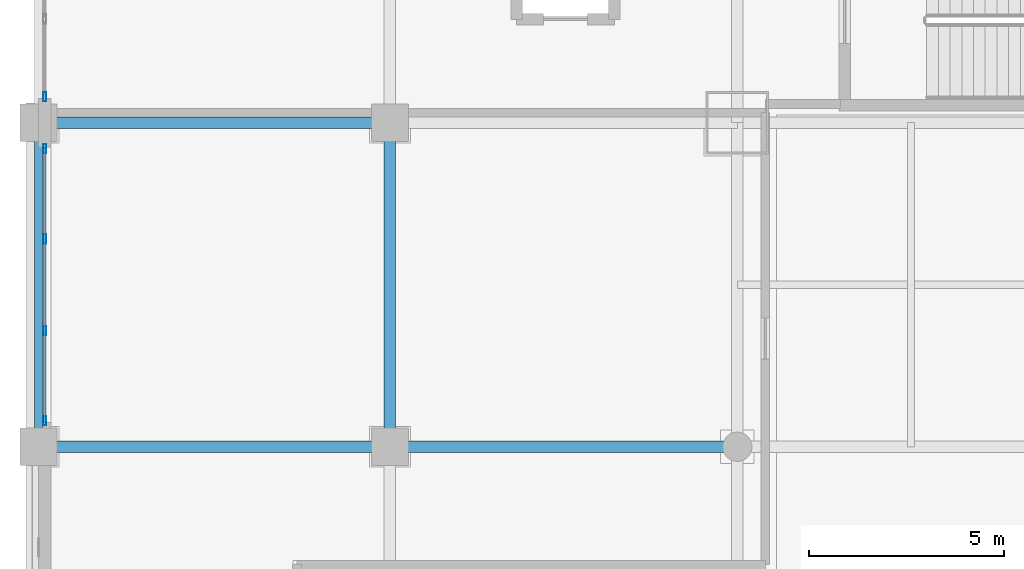
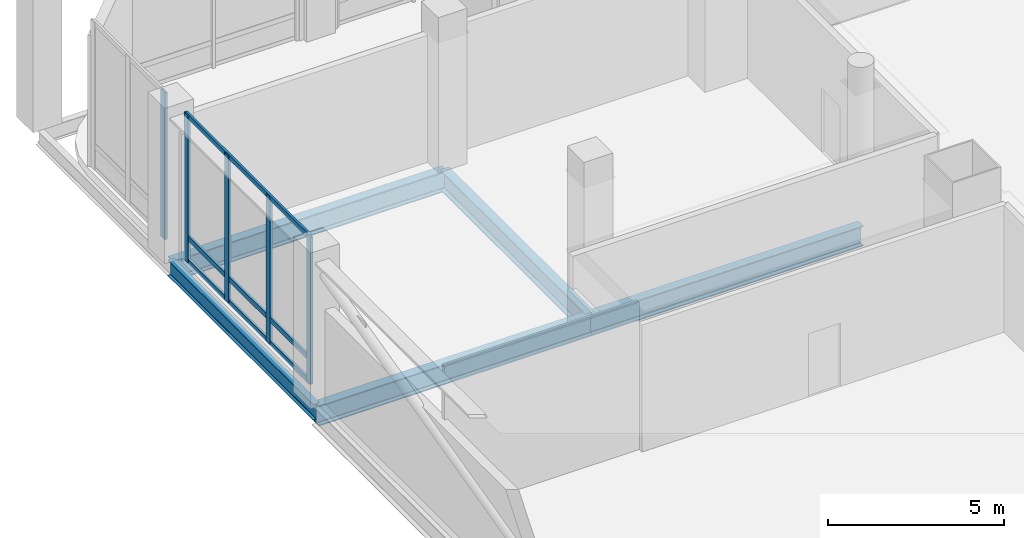
# One storey, part 10 of 39: 8 members, 5 beams, 2 elements without a shape of their own.
"""IFC4 building model written with IfcOpenShell, lengths in metres."""

import ifcopenshell
import ifcopenshell.guid

model = None  # the IFC model being written
_history = None  # IfcOwnerHistory: only IFC2X3 demands one
_inside = {}  # id of a spatial element -> (the spatial element, [elements in it])
_under = {}  # id of a project, library or spatial element -> (it, [spatial elements below it])
_declared = {}  # id of a project -> (the project, [libraries it declares])
_typed = {}  # id of a type object -> (the type object, [elements of that type])
_made_of = {}  # id of a material, layer set ... -> (it, [elements and type objects made of it])


def new_model(schema):
    """Start an empty IFC model of exactly this schema.

    Asked for "IFC4X3", IfcOpenShell would pick the latest addendum, in which some entities
    have other attributes; the version numbers below select the first issue.
    IFC2X3 requires an IfcOwnerHistory on every rooted entity: one is made here for all.
    """
    global model, _history
    if schema == "IFC4X3":
        model = ifcopenshell.file(schema_version=(4, 3, 0, 0))
    else:
        model = ifcopenshell.file(schema=schema)
    _inside.clear()
    _under.clear()
    _declared.clear()
    _typed.clear()
    _made_of.clear()
    _history = None
    if model.schema == "IFC2X3":
        org = make("IfcOrganization", Name="unknown")
        user = make(
            "IfcPersonAndOrganization",
            ThePerson=make("IfcPerson", FamilyName="unknown"),
            TheOrganization=org,
        )
        app = make(
            "IfcApplication",
            ApplicationDeveloper=org,
            Version="unknown",
            ApplicationFullName="unknown",
            ApplicationIdentifier="unknown",
        )
        _history = make(
            "IfcOwnerHistory",
            OwningUser=user,
            OwningApplication=app,
            ChangeAction="ADDED",
            CreationDate=0,
        )
    return model


def make(cls, **values):
    """One entity of the class cls with the attributes given. An attribute that is None is left unset."""
    return model.create_entity(
        cls, **{name: value for name, value in values.items() if value is not None}
    )


def rooted(cls, **values):
    """An entity with a GlobalId (a new one), such as an element, a storey or a relation."""
    return make(cls, GlobalId=ifcopenshell.guid.new(), OwnerHistory=_history, **values)


def si_unit(unit_type, name, prefix=None):
    """IfcSIUnit, for example si_unit("LENGTHUNIT", "METRE", prefix="MILLI")."""
    return make("IfcSIUnit", UnitType=unit_type, Prefix=prefix, Name=name)


def assignment(units):
    """IfcUnitAssignment: the units of a project."""
    return None if units is None else make("IfcUnitAssignment", Units=units)


def point(xyz):
    """IfcCartesianPoint."""
    return None if xyz is None else make("IfcCartesianPoint", Coordinates=xyz)


def direction(xyz):
    """IfcDirection."""
    return None if xyz is None else make("IfcDirection", DirectionRatios=xyz)


def frame(location, z_axis=None, x_axis=None):
    """IfcAxis2Placement3D, a coordinate frame: its origin and axes. An axis left out is left unset."""
    return make(
        "IfcAxis2Placement3D",
        Location=point(location),
        Axis=direction(z_axis),
        RefDirection=direction(x_axis),
    )


def frame_2d(location, x_axis=None):
    """IfcAxis2Placement2D, a coordinate frame in the plane: its origin and x axis."""
    return make(
        "IfcAxis2Placement2D", Location=point(location), RefDirection=direction(x_axis)
    )


def origin():
    """The frame at (0, 0, 0) with its axes left unset."""
    return frame((0.0, 0.0, 0.0))


def origin_2d():
    """The frame at (0, 0) in the plane with its x axis left unset."""
    return frame_2d((0.0, 0.0))


def place(relative_to, where):
    """IfcLocalPlacement: puts the frame where relative to a parent placement (None: the world)."""
    return make(
        "IfcLocalPlacement", PlacementRelTo=relative_to, RelativePlacement=where
    )


def context(
    kind, dimensions, precision=None, world=None, true_north=None, identifier=None
):
    """IfcGeometricRepresentationContext, for example the 3D "Model" context."""
    return make(
        "IfcGeometricRepresentationContext",
        ContextIdentifier=identifier,
        ContextType=kind,
        CoordinateSpaceDimension=dimensions,
        Precision=precision,
        WorldCoordinateSystem=world,
        TrueNorth=true_north,
    )


def subcontext(parent, identifier, kind, view, scale=None):
    """IfcGeometricRepresentationSubContext, for example "Body" below "Model"."""
    return make(
        "IfcGeometricRepresentationSubContext",
        ContextIdentifier=identifier,
        ContextType=kind,
        ParentContext=parent,
        TargetScale=scale,
        TargetView=view,
    )


def project(units=None, contexts=None):
    """IfcProject with its units and contexts."""
    return rooted(
        "IfcProject",
        Name="project",
        RepresentationContexts=contexts,
        UnitsInContext=assignment(units),
    )


def spatial(cls, under=None, at=None, **own):
    """A site, building, storey or space (cls), placed at a placement, below another one or the project."""
    s = rooted(cls, ObjectPlacement=at, **own)
    if under is not None:
        _under.setdefault(under.id(), (under, []))[1].append(s)
    return s


def profile(cls, at=None, kind="AREA", **sizes):
    """A parametric profile (cls). Its sizes go by their IFC names, for example OverallWidth=200.0."""
    return make(cls, ProfileType=kind, Position=at, **sizes)


def hollow_rectangle(**sizes):
    """IfcRectangleHollowProfileDef."""
    return profile("IfcRectangleHollowProfileDef", **sizes)


def i_section(**sizes):
    """IfcIShapeProfileDef."""
    return profile("IfcIShapeProfileDef", **sizes)


def extrude(swept, where, along, depth):
    """IfcExtrudedAreaSolid: the profile swept, set in the frame where, extruded along a direction by depth."""
    return make(
        "IfcExtrudedAreaSolid",
        SweptArea=swept,
        Position=where,
        ExtrudedDirection=direction(along),
        Depth=depth,
    )


def shape(context_of_items, identifier, shape_type, items):
    """IfcShapeRepresentation: the items that make up one representation, for example the "Body"."""
    return make(
        "IfcShapeRepresentation",
        ContextOfItems=context_of_items,
        RepresentationIdentifier=identifier,
        RepresentationType=shape_type,
        Items=items,
    )


def material(Name=None, Category=None):
    """IfcMaterial."""
    return make("IfcMaterial", Name=Name, Category=Category)


def material_profile(
    of_material, cross_section, Name=None, Category=None, Priority=None
):
    """IfcMaterialProfile: a cross section and its material."""
    return make(
        "IfcMaterialProfile",
        Name=Name,
        Material=of_material,
        Profile=cross_section,
        Priority=Priority,
        Category=Category,
    )


def profile_set(profiles, Name=None, composite=None):
    """IfcMaterialProfileSet."""
    return make(
        "IfcMaterialProfileSet",
        Name=Name,
        MaterialProfiles=profiles,
        CompositeProfile=composite,
    )


def made_of(thing, what):
    """Note that an element or type object is made of a material, layer set ...; save() writes the relation."""
    if what is not None:
        _made_of.setdefault(what.id(), (what, []))[1].append(thing)
    return thing


def type_object(cls, material=None, **own):
    """A type object (cls), such as IfcWallType, which elements share."""
    return made_of(rooted(cls, **own), material)


def element(
    cls,
    number,
    at=None,
    inside=None,
    cuts=None,
    type_object=None,
    material=None,
    context=None,
    identifier="Body",
    shape_type=None,
    held_by="IfcProductDefinitionShape",
    body=None,
    shapes=None,
    **own,
):
    """One element of the class cls, such as IfcWall. Its Tag is "e" and its number.

    at: its placement. inside: the storey or other place that contains it. cuts: it is an
    opening in that element (IfcRelVoidsElement). A single representation is given by context,
    identifier, shape_type and body (its items); several are given by shapes. held_by: the class
    of the entity that holds the representations. save() writes the other relations.
    """
    e = rooted(cls, Tag="e%d" % number, ObjectPlacement=at, **own)
    if body is not None:
        shapes = [shape(context, identifier, shape_type, body)]
    if shapes is not None:
        e.Representation = make(held_by, Representations=shapes)
    if inside is not None:
        _inside.setdefault(inside.id(), (inside, []))[1].append(e)
    if cuts is not None:
        rooted(
            "IfcRelVoidsElement", RelatingBuildingElement=cuts, RelatedOpeningElement=e
        )
    if type_object is not None:
        _typed.setdefault(type_object.id(), (type_object, []))[1].append(e)
    return made_of(e, material)


def aggregate(whole, parts):
    """IfcRelAggregates: a whole, such as a stair, and the parts it consists of."""
    return rooted("IfcRelAggregates", RelatingObject=whole, RelatedObjects=parts)


def save(model, path):
    """Write the relations noted so far, then the file.

    IfcRelAggregates (storeys below a building ...), IfcRelContainedInSpatialStructure (elements
    in a storey), IfcRelDefinesByType, IfcRelAssociatesMaterial and IfcRelDeclares: one each for
    every whole, place, type object, material and project.
    """
    for whole, parts in _under.values():
        aggregate(whole, parts)
    for where, things in _inside.values():
        rooted(
            "IfcRelContainedInSpatialStructure",
            RelatedElements=things,
            RelatingStructure=where,
        )
    for kind, things in _typed.values():
        rooted("IfcRelDefinesByType", RelatedObjects=things, RelatingType=kind)
    for what, things in _made_of.values():
        rooted("IfcRelAssociatesMaterial", RelatedObjects=things, RelatingMaterial=what)
    for by, libraries in _declared.values():
        rooted("IfcRelDeclares", RelatingContext=by, RelatedDefinitions=libraries)
    model.write(path)


model = new_model("IFC4")

# Units and contexts
model_context = context("Model", 3, precision=1e-05, world=origin(), true_north=direction((0.0, 1.0)))
body_context = subcontext(model_context, "Body", "Model", "MODEL_VIEW")
ifc_project = project(units=[si_unit("LENGTHUNIT", "METRE"), si_unit("AREAUNIT", "SQUARE_METRE"), si_unit("VOLUMEUNIT", "CUBIC_METRE"), si_unit("PLANEANGLEUNIT", "RADIAN"), si_unit("MASSUNIT", "GRAM", prefix="KILO")], contexts=[model_context])

# Site, building, storey
site_placement = place(None, origin())
site = spatial("IfcSite", under=ifc_project, at=site_placement, CompositionType="ELEMENT")
building_placement = place(site_placement, origin())
building = spatial("IfcBuilding", under=site, at=building_placement, Name="Punatoya Terracotta Tower", CompositionType="ELEMENT")
storey_placement = place(building_placement, frame((0.0, 0.0, 11.39990234375)))
storey = spatial("IfcBuildingStorey", under=building, at=storey_placement, Name="L02", CompositionType="ELEMENT", Elevation=11.39990234375)

# Beams
ifc_material_1 = material(Name="Steel S355", Category="steel")
ifc_material_profile_1 = material_profile(ifc_material_1, i_section(OverallWidth=0.300048828125, OverallDepth=0.699951171875, WebThickness=0.01708984375, FlangeThickness=0.031982421875, FilletRadius=0.01806640625, at=origin_2d()))
ifc_profile_set_1 = profile_set([ifc_material_profile_1], Name="Steel S355")
beam_type_1 = type_object("IfcBeamType", Name="BM-PRI-700", PredefinedType="BEAM", material=ifc_profile_set_1)
beam_1_placement = place(storey_placement, frame((-37.0, 9.199951171875, -0.6298828125), z_axis=(1.0, 0.0, 0.0), x_axis=(0.0, 1.0, 0.0)))
element("IfcBeam", 1, at=beam_1_placement, inside=storey, type_object=beam_type_1, Name="BM-L02-FW1", PredefinedType="BEAM", context=body_context, shape_type="SweptSolid", body=[
    extrude(i_section(OverallWidth=0.300048828125, OverallDepth=0.699951171875, WebThickness=0.01708984375, FlangeThickness=0.031982421875, FilletRadius=0.01806640625, at=origin_2d()), origin(), (0.0, 0.0, 1.0), 9.0),
])
beam_2_placement = place(storey_placement, frame((-28.0, 9.199951171875, -0.6298828125), z_axis=(1.0, 0.0, 0.0), x_axis=(0.0, 1.0, 0.0)))
element("IfcBeam", 2, at=beam_2_placement, inside=storey, type_object=beam_type_1, Name="BM-L02-FW2", PredefinedType="BEAM", context=body_context, shape_type="SweptSolid", body=[
    extrude(i_section(OverallWidth=0.300048828125, OverallDepth=0.699951171875, WebThickness=0.01708984375, FlangeThickness=0.031982421875, FilletRadius=0.01806640625, at=origin_2d()), origin(), (0.0, 0.0, 1.0), 8.89990234375),
])
beam_3_placement = place(storey_placement, frame((-37.0, 17.5, -0.6298828125), z_axis=(1.0, 0.0, 0.0), x_axis=(0.0, 1.0, 0.0)))
element("IfcBeam", 3, at=beam_3_placement, inside=storey, type_object=beam_type_1, Name="BM-L02-GW1", PredefinedType="BEAM", context=body_context, shape_type="SweptSolid", body=[
    extrude(i_section(OverallWidth=0.300048828125, OverallDepth=0.699951171875, WebThickness=0.01708984375, FlangeThickness=0.031982421875, FilletRadius=0.01806640625, at=origin_2d()), origin(), (0.0, 0.0, 1.0), 9.0),
])
beam_4_placement = place(storey_placement, frame((-28.0, 9.199951171875, -0.6298828125), z_axis=(0.0, 1.0, 0.0), x_axis=(-1.0, 0.0, 0.0)))
element("IfcBeam", 4, at=beam_4_placement, inside=storey, type_object=beam_type_1, Name="BM-L02-X28W-9", PredefinedType="BEAM", context=body_context, shape_type="SweptSolid", body=[
    extrude(i_section(OverallWidth=0.300048828125, OverallDepth=0.699951171875, WebThickness=0.01708984375, FlangeThickness=0.031982421875, FilletRadius=0.01806640625, at=origin_2d()), origin(), (0.0, 0.0, 1.0), 8.300048828125),
])
ifc_material_profile_2 = material_profile(ifc_material_1, i_section(OverallWidth=0.2099609375, OverallDepth=0.550048828125, WebThickness=0.010986328125, FlangeThickness=0.01708984375, FilletRadius=0.01806640625, at=origin_2d()))
ifc_profile_set_2 = profile_set([ifc_material_profile_2], Name="Steel S355")
beam_type_2 = type_object("IfcBeamType", Name="BM-SPN-550", PredefinedType="SPANDREL", material=ifc_profile_set_2)
beam_5_placement = place(storey_placement, frame((-37.0, 9.199951171875, -0.554931640625), z_axis=(0.0, 1.0, 0.0), x_axis=(-1.0, 0.0, 0.0)))
element("IfcBeam", 5, at=beam_5_placement, inside=storey, type_object=beam_type_2, Name="BM-L02-X37W-9", PredefinedType="SPANDREL", context=body_context, shape_type="SweptSolid", body=[
    extrude(i_section(OverallWidth=0.2099609375, OverallDepth=0.550048828125, WebThickness=0.010986328125, FlangeThickness=0.01708984375, FilletRadius=0.01806640625, at=origin_2d()), origin(), (0.0, 0.0, 1.0), 8.300048828125),
])

# Curtain wall, members
ifc_material_2 = material(Name="Aluminium 6063-T6 + Double Low-E Glass", Category="aluminium")
curtain_wall_type = type_object("IfcCurtainWallType", Name="CW-POD", PredefinedType="NOTDEFINED", material=ifc_material_2)
curtain_wall_1_placement = place(storey_placement, origin())
curtain_wall_1 = element("IfcCurtainWall", 6, at=curtain_wall_1_placement, inside=storey, type_object=curtain_wall_type, Name="L02 Curtain Wall CWP-L02-W3", PredefinedType="NOTDEFINED")
ifc_material_3 = material(Name="Aluminium 6063-T6", Category="aluminium")
ifc_material_profile_3 = material_profile(ifc_material_3, hollow_rectangle(XDim=0.0849609375, YDim=0.239990234375, WallThickness=0.0048828125, at=origin_2d()))
ifc_profile_set_3 = profile_set([ifc_material_profile_3], Name="Aluminium 6063-T6")
member_type_1 = type_object("IfcMemberType", Name="CW-MUL-POD", PredefinedType="MULLION", material=ifc_profile_set_3)
member_1_placement = place(storey_placement, frame((-36.840087890625, 9.864990234375, 0.0), z_axis=(0.0, 0.0, 1.0), x_axis=(1.0, 0.0, 0.0)))
member_1 = element("IfcMember", 7, at=member_1_placement, type_object=member_type_1, Name="CWP-L02-W3 Mullion 00", PredefinedType="MULLION", context=body_context, shape_type="SweptSolid", body=[
    extrude(hollow_rectangle(XDim=0.0849609375, YDim=0.239990234375, WallThickness=0.0048828125, at=origin_2d()), origin(), (0.0, 0.0, 1.0), 5.1201171875),
])
member_2_placement = place(storey_placement, frame((-36.840087890625, 12.17333984375, 0.0), z_axis=(0.0, 0.0, 1.0), x_axis=(1.0, 0.0, 0.0)))
member_2 = element("IfcMember", 8, at=member_2_placement, type_object=member_type_1, Name="CWP-L02-W3 Mullion 01", PredefinedType="MULLION", context=body_context, shape_type="SweptSolid", body=[
    extrude(hollow_rectangle(XDim=0.0849609375, YDim=0.239990234375, WallThickness=0.0048828125, at=origin_2d()), origin(), (0.0, 0.0, 1.0), 5.1201171875),
])
member_3_placement = place(storey_placement, frame((-36.840087890625, 14.526611328125, 0.0), z_axis=(0.0, 0.0, 1.0), x_axis=(1.0, 0.0, 0.0)))
member_3 = element("IfcMember", 9, at=member_3_placement, type_object=member_type_1, Name="CWP-L02-W3 Mullion 02", PredefinedType="MULLION", context=body_context, shape_type="SweptSolid", body=[
    extrude(hollow_rectangle(XDim=0.0849609375, YDim=0.239990234375, WallThickness=0.0048828125, at=origin_2d()), origin(), (0.0, 0.0, 1.0), 5.1201171875),
])
member_4_placement = place(storey_placement, frame((-36.840087890625, 16.8349609375, 0.0), z_axis=(0.0, 0.0, 1.0), x_axis=(1.0, 0.0, 0.0)))
member_4 = element("IfcMember", 10, at=member_4_placement, type_object=member_type_1, Name="CWP-L02-W3 Mullion 03", PredefinedType="MULLION", context=body_context, shape_type="SweptSolid", body=[
    extrude(hollow_rectangle(XDim=0.0849609375, YDim=0.239990234375, WallThickness=0.0048828125, at=origin_2d()), origin(), (0.0, 0.0, 1.0), 5.1201171875),
])

# Curtain wall, member
curtain_wall_2_placement = place(storey_placement, origin())
curtain_wall_2 = element("IfcCurtainWall", 11, at=curtain_wall_2_placement, inside=storey, type_object=curtain_wall_type, Name="L02 Curtain Wall CWP-L02-W4", PredefinedType="NOTDEFINED")
member_5_placement = place(storey_placement, frame((-36.840087890625, 18.1650390625, 0.0), z_axis=(0.0, 0.0, 1.0), x_axis=(1.0, 0.0, 0.0)))
member_5 = element("IfcMember", 12, at=member_5_placement, type_object=member_type_1, Name="CWP-L02-W4 Mullion 00", PredefinedType="MULLION", context=body_context, shape_type="SweptSolid", body=[
    extrude(hollow_rectangle(XDim=0.0849609375, YDim=0.239990234375, WallThickness=0.0048828125, at=origin_2d()), origin(), (0.0, 0.0, 1.0), 5.1201171875),
])
aggregate(curtain_wall_2, [member_5])

# Member
ifc_material_profile_4 = material_profile(ifc_material_3, hollow_rectangle(XDim=0.074951171875, YDim=0.175048828125, WallThickness=0.00439453125, at=origin_2d()))
ifc_profile_set_4 = profile_set([ifc_material_profile_4], Name="Aluminium 6063-T6")
member_type_2 = type_object("IfcMemberType", Name="CW-TRN-POD", PredefinedType="USERDEFINED", material=ifc_profile_set_4)
member_6_placement = place(storey_placement, frame((-36.840087890625, 9.820068359375, 0.0400390625), z_axis=(0.0, 1.0, 0.0), x_axis=(-1.0, 0.0, 0.0)))
member_6 = element("IfcMember", 13, at=member_6_placement, type_object=member_type_2, Name="CWP-L02-W3 Transom 1", ObjectType="TRANSOM", PredefinedType="USERDEFINED", context=body_context, shape_type="SweptSolid", body=[
    extrude(hollow_rectangle(XDim=0.074951171875, YDim=0.175048828125, WallThickness=0.00439453125, at=origin_2d()), origin(), (0.0, 0.0, 1.0), 7.059814453125),
])

member_7_placement = place(storey_placement, frame((-36.840087890625, 9.820068359375, 0.85009765625), z_axis=(0.0, 1.0, 0.0), x_axis=(-1.0, 0.0, 0.0)))
member_7 = element("IfcMember", 14, at=member_7_placement, type_object=member_type_2, Name="CWP-L02-W3 Transom 2", ObjectType="TRANSOM", PredefinedType="USERDEFINED", context=body_context, shape_type="SweptSolid", body=[
    extrude(hollow_rectangle(XDim=0.074951171875, YDim=0.175048828125, WallThickness=0.00439453125, at=origin_2d()), origin(), (0.0, 0.0, 1.0), 7.059814453125),
])

member_8_placement = place(storey_placement, frame((-36.840087890625, 9.820068359375, 5.080078125), z_axis=(0.0, 1.0, 0.0), x_axis=(-1.0, 0.0, 0.0)))
member_8 = element("IfcMember", 15, at=member_8_placement, type_object=member_type_2, Name="CWP-L02-W3 Transom 3", ObjectType="TRANSOM", PredefinedType="USERDEFINED", context=body_context, shape_type="SweptSolid", body=[
    extrude(hollow_rectangle(XDim=0.074951171875, YDim=0.175048828125, WallThickness=0.00439453125, at=origin_2d()), origin(), (0.0, 0.0, 1.0), 7.059814453125),
])

aggregate(curtain_wall_1, [member_1, member_2, member_3, member_4, member_6, member_7, member_8])

save(model, "model.ifc")
